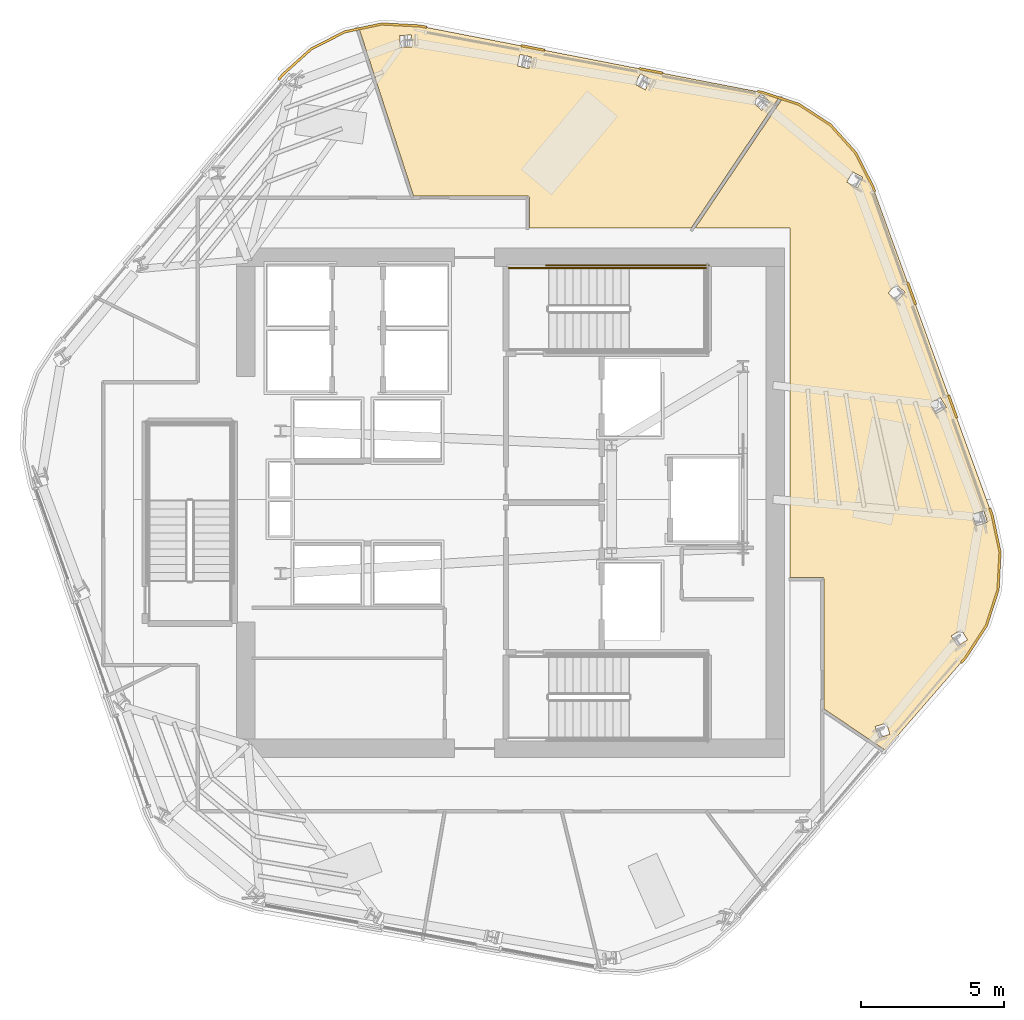
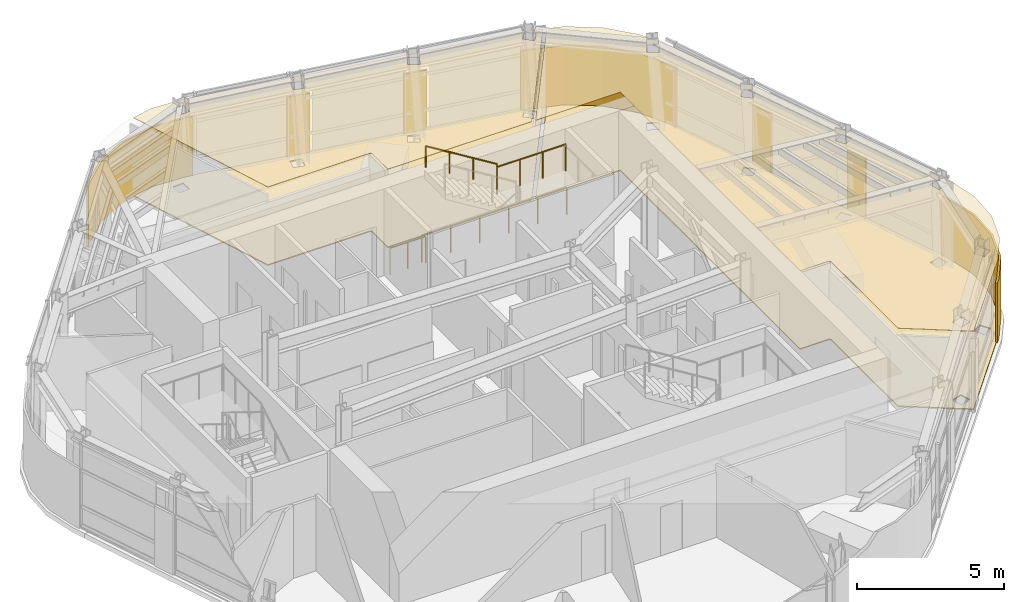
# One storey, part 11 of 12: 11 coverings, 4 railings.
"""IFC4 building model written with IfcOpenShell, lengths in metres."""

from ifc_helpers import new_model, si_unit, direction, frame, origin, origin_2d, place, context, subcontext, project, spatial, polyline, circle, outline, extrude, material, layer, layer_set, type_object, element, save


model = new_model("IFC4")

# Units and contexts
model_context = context("Model", 3, precision=1e-05, world=origin(), true_north=direction((0.0, 1.0)))
body_context = subcontext(model_context, "Body", "Model", "MODEL_VIEW")
ifc_project = project(units=[si_unit("LENGTHUNIT", "METRE"), si_unit("AREAUNIT", "SQUARE_METRE"), si_unit("VOLUMEUNIT", "CUBIC_METRE"), si_unit("PLANEANGLEUNIT", "RADIAN"), si_unit("MASSUNIT", "GRAM", prefix="KILO")], contexts=[model_context])

# Site, building, storey
site_placement = place(None, origin())
site = spatial("IfcSite", under=ifc_project, at=site_placement, CompositionType="ELEMENT")
building_placement = place(site_placement, origin())
building = spatial("IfcBuilding", under=site, at=building_placement, Name="Valkerne Bourse Tower", CompositionType="ELEMENT")
storey_placement = place(building_placement, frame((0.0, 0.0, 236.0)))
storey = spatial("IfcBuildingStorey", under=building, at=storey_placement, Name="L60", CompositionType="ELEMENT", Elevation=236.0)

# Coverings
ifc_material_1 = material(Name="Mineral Fiber Acoustic Ceiling Tile", Category="acoustic")
ifc_layer_1 = layer(ifc_material_1, 0.02490234375)
ifc_layer_set_1 = layer_set([ifc_layer_1], Name="Mineral Fiber Acoustic Ceiling Tile")
covering_type_1 = type_object("IfcCoveringType", Name="COV-CEIL-ACT", PredefinedType="CEILING", material=ifc_layer_set_1)
covering_1_placement = place(storey_placement, frame((0.0, 0.0, 3.25)))
element("IfcCovering", 1, at=covering_1_placement, inside=storey, type_object=covering_type_1, Name="L60 Suspended Ceiling 10", PredefinedType="CEILING", context=body_context, shape_type="SweptSolid", body=[
    extrude(outline(polyline([(55.6318359375, 41.246826171875), (56.20263671875, 41.061279296875), (53.12939453125, 36.5), (47.468994140625, 36.5), (47.468994140625, 37.5634765625), (47.455078125, 37.601806640625), (47.41748046875, 37.626953125), (43.408447265625, 37.62890625), (41.5078125, 43.478271484375), (42.29345703125, 43.645263671875), (43.6201171875, 43.57568359375), (55.6318359375, 41.246826171875)]), holes=[polyline([(43.355712890625, 42.84912109375), (43.3408203125, 43.2607421875), (42.927490234375, 43.24609375), (42.92529296875, 43.24560546875), (42.940185546875, 42.833984375), (43.353271484375, 42.848388671875), (43.355712890625, 42.84912109375)]), polyline([(55.58544921875, 41.203857421875), (55.58349609375, 41.205078125), (55.302001953125, 40.904541015625), (55.603759765625, 40.62158203125), (55.605712890625, 40.620361328125), (55.88720703125, 40.921142578125), (55.58544921875, 41.203857421875)]), polyline([(51.360595703125, 41.903564453125), (51.3583984375, 41.904296875), (51.162353515625, 41.5419921875), (51.52587890625, 41.344970703125), (51.528076171875, 41.34423828125), (51.72412109375, 41.70654296875), (51.360595703125, 41.903564453125)]), polyline([(47.539794921875, 42.4912109375), (47.13623046875, 42.58203125), (47.134033203125, 42.582275390625), (47.0439453125, 42.180419921875), (47.447509765625, 42.089599609375), (47.44970703125, 42.08935546875), (47.539794921875, 42.4912109375)])]), origin(), (0.0, 0.0, 1.0), 0.02490234375),
])
covering_2_placement = place(storey_placement, frame((0.0, 0.0, 3.25)))
element("IfcCovering", 2, at=covering_2_placement, inside=storey, type_object=covering_type_1, Name="L60 Suspended Ceiling 11", PredefinedType="CEILING", context=body_context, shape_type="SweptSolid", body=[
    extrude(outline(polyline([(63.468505859375, 22.580078125), (62.744873046875, 21.4658203125), (59.9248046875, 18.218505859375), (57.7890625, 19.658935546875), (57.786865234375, 24.217529296875), (57.76171875, 24.255126953125), (57.723388671875, 24.268798828125), (56.60009765625, 24.26904296875), (56.60009765625, 36.5), (53.271728515625, 36.5), (56.3193359375, 41.0234375), (56.896484375, 40.8359375), (58.003173828125, 40.1171875), (58.885986328125, 39.13671875), (59.48974609375, 37.951904296875), (63.6689453125, 26.452392578125), (63.9453125, 25.15283203125), (63.876220703125, 23.835205078125), (63.468505859375, 22.580078125)]), holes=[polyline([(60.09423828125, 18.770751953125), (59.97021484375, 19.165771484375), (59.577392578125, 19.04345703125), (59.576416015625, 19.04150390625), (59.7001953125, 18.646484375), (60.093017578125, 18.768798828125), (60.09423828125, 18.770751953125)]), polyline([(62.81201171875, 22.080078125), (62.59228515625, 22.430908203125), (62.2431640625, 22.21337890625), (62.242431640625, 22.2109375), (62.46240234375, 21.860107421875), (62.811279296875, 22.077880859375), (62.81201171875, 22.080078125)]), polyline([(63.504150390625, 26.2021484375), (63.50439453125, 26.20458984375), (63.384521484375, 26.597900390625), (62.988037109375, 26.477783203125), (62.988037109375, 26.475341796875), (63.107666015625, 26.082275390625), (63.504150390625, 26.2021484375)]), polyline([(62.07080078125, 30.225341796875), (61.855224609375, 30.575439453125), (61.502197265625, 30.35888671875), (61.502685546875, 30.356689453125), (61.718017578125, 30.00634765625), (62.0712890625, 30.22314453125), (62.07080078125, 30.225341796875)]), polyline([(60.618408203125, 34.256103515625), (60.31591796875, 34.534423828125), (60.034912109375, 34.22998046875), (60.035888671875, 34.22802734375), (60.33837890625, 33.94970703125), (60.619384765625, 34.25390625), (60.618408203125, 34.256103515625)]), polyline([(59.145751953125, 38.280517578125), (58.782470703125, 38.472900390625), (58.587890625, 38.107177734375), (58.589599609375, 38.10546875), (58.952880859375, 37.9130859375), (59.147216796875, 38.27880859375), (59.145751953125, 38.280517578125)])]), origin(), (0.0, 0.0, 1.0), 0.02490234375),
])
ifc_material_2 = material(Name="Bronze Anodised Aluminium AA 6063-T6", Category="aluminium")
ifc_layer_2 = layer(ifc_material_2, 0.06005859375)
ifc_layer_set_2 = layer_set([ifc_layer_2], Name="Bronze Anodised Aluminium AA 6063-T6")
covering_type_2 = type_object("IfcCoveringType", Name="COV-CRN-ALUM", PredefinedType="CLADDING", material=ifc_layer_set_2)
covering_3_placement = place(storey_placement, origin())
element("IfcCovering", 3, at=covering_3_placement, inside=storey, type_object=covering_type_2, Name="L60 Wind-Shaped Corner Aluminium Cladding 01", PredefinedType="CLADDING", context=body_context, shape_type="SweptSolid", body=[
    extrude(outline(polyline([(63.989501953125, 25.156494140625), (63.919921875, 23.826904296875), (63.508544921875, 22.56103515625), (62.780029296875, 21.439453125), (62.614990234375, 21.2490234375), (62.553955078125, 21.301025390625), (62.716064453125, 21.48779296875), (63.435546875, 22.595703125), (63.840576171875, 23.841796875), (63.9091796875, 25.150146484375), (63.63427734375, 26.4423828125), (63.550048828125, 26.674560546875), (63.62548828125, 26.701171875), (63.71142578125, 26.464599609375), (63.989501953125, 25.156494140625)])), origin(), (0.0, 0.0, 1.0), 2.5),
])
covering_4_placement = place(storey_placement, origin())
element("IfcCovering", 4, at=covering_4_placement, inside=storey, type_object=covering_type_2, Name="L60 Wind-Shaped Corner Aluminium Cladding 13", PredefinedType="CLADDING", context=body_context, shape_type="SweptSolid", body=[
    extrude(outline(polyline([(38.80810546875, 41.91357421875), (39.802001953125, 42.808349609375), (40.988037109375, 43.41259765625), (42.2900390625, 43.689453125), (43.62548828125, 43.619384765625), (43.872802734375, 43.571533203125), (43.8583984375, 43.492919921875), (43.61572265625, 43.539794921875), (42.29638671875, 43.60888671875), (41.014892578125, 43.336669921875), (39.84765625, 42.741943359375), (38.86572265625, 41.85791015625), (38.706787109375, 41.668701171875), (38.64599609375, 41.720458984375), (38.80810546875, 41.91357421875)])), origin(), (0.0, 0.0, 1.0), 2.5),
])
covering_5_placement = place(storey_placement, origin())
element("IfcCovering", 5, at=covering_5_placement, inside=storey, type_object=covering_type_2, Name="L60 Wind-Shaped Corner Aluminium Cladding 14", PredefinedType="CLADDING", context=body_context, shape_type="SweptSolid", body=[
    extrude(outline(polyline([(48.008056640625, 42.769775390625), (47.993408203125, 42.691162109375), (47.168701171875, 42.85107421875), (47.183349609375, 42.9296875), (48.008056640625, 42.769775390625)])), origin(), (0.0, 0.0, 1.0), 2.5),
])
covering_6_placement = place(storey_placement, origin())
element("IfcCovering", 6, at=covering_6_placement, inside=storey, type_object=covering_type_2, Name="L60 Wind-Shaped Corner Aluminium Cladding 15", PredefinedType="CLADDING", context=body_context, shape_type="SweptSolid", body=[
    extrude(outline(polyline([(52.143310546875, 41.968017578125), (52.128662109375, 41.889404296875), (51.303955078125, 42.04931640625), (51.318603515625, 42.1279296875), (52.143310546875, 41.968017578125)])), origin(), (0.0, 0.0, 1.0), 2.5),
])
covering_7_placement = place(storey_placement, origin())
element("IfcCovering", 7, at=covering_7_placement, inside=storey, type_object=covering_type_2, Name="L60 Wind-Shaped Corner Aluminium Cladding 16", PredefinedType="CLADDING", context=body_context, shape_type="SweptSolid", body=[
    extrude(outline(polyline([(55.642822265625, 41.28955078125), (56.91552734375, 40.8759765625), (58.031982421875, 40.15087890625), (58.922607421875, 39.161865234375), (59.5302734375, 37.969482421875), (59.59619140625, 37.788330078125), (59.520751953125, 37.76171875), (59.456787109375, 37.9375), (58.856201171875, 39.1162109375), (57.9794921875, 40.089599609375), (56.880859375, 40.802978515625), (55.622802734375, 41.2119140625), (55.439208984375, 41.24755859375), (55.45361328125, 41.326171875), (55.642822265625, 41.28955078125)])), origin(), (0.0, 0.0, 1.0), 2.5),
])
covering_8_placement = place(storey_placement, origin())
element("IfcCovering", 8, at=covering_8_placement, inside=storey, type_object=covering_type_2, Name="L60 Wind-Shaped Corner Aluminium Cladding 17", PredefinedType="CLADDING", context=body_context, shape_type="SweptSolid", body=[
    extrude(outline(polyline([(61.034912109375, 33.829345703125), (60.95947265625, 33.802734375), (60.672607421875, 34.59228515625), (60.747802734375, 34.618896484375), (61.034912109375, 33.829345703125)])), origin(), (0.0, 0.0, 1.0), 2.5),
])
covering_9_placement = place(storey_placement, origin())
element("IfcCovering", 9, at=covering_9_placement, inside=storey, type_object=covering_type_2, Name="L60 Wind-Shaped Corner Aluminium Cladding 18", PredefinedType="CLADDING", context=body_context, shape_type="SweptSolid", body=[
    extrude(outline(polyline([(62.4736328125, 29.87060546875), (62.398193359375, 29.843994140625), (62.111083984375, 30.63330078125), (62.186767578125, 30.66015625), (62.4736328125, 29.87060546875)])), origin(), (0.0, 0.0, 1.0), 2.5),
])
ifc_material_3 = material(Name="Galvanised Painted Steel", Category="steel")
ifc_layer_3 = layer(ifc_material_3, 0.044921875)
ifc_layer_set_3 = layer_set([ifc_layer_3], Name="Galvanised Painted Steel")
covering_type_3 = type_object("IfcCoveringType", Name="COV-FLR-RAF", PredefinedType="FLOORING", material=ifc_layer_set_3)
covering_10_placement = place(storey_placement, origin())
element("IfcCovering", 10, at=covering_10_placement, inside=storey, type_object=covering_type_3, Name="L60 Floor Finish 10", PredefinedType="FLOORING", context=body_context, shape_type="SweptSolid", body=[
    extrude(outline(polyline([(55.6318359375, 41.246826171875), (56.20263671875, 41.061279296875), (53.12939453125, 36.5), (47.468994140625, 36.5), (47.468994140625, 37.5634765625), (47.455078125, 37.601806640625), (47.41748046875, 37.626953125), (43.408447265625, 37.62890625), (41.5078125, 43.478271484375), (42.29345703125, 43.645263671875), (43.6201171875, 43.57568359375), (55.6318359375, 41.246826171875)]), holes=[polyline([(43.355712890625, 42.84912109375), (43.3408203125, 43.2607421875), (42.927490234375, 43.24609375), (42.92529296875, 43.24560546875), (42.940185546875, 42.833984375), (43.353271484375, 42.848388671875), (43.355712890625, 42.84912109375)]), polyline([(55.58544921875, 41.203857421875), (55.58349609375, 41.205078125), (55.302001953125, 40.904541015625), (55.603759765625, 40.62158203125), (55.605712890625, 40.620361328125), (55.88720703125, 40.921142578125), (55.58544921875, 41.203857421875)]), polyline([(51.360595703125, 41.903564453125), (51.3583984375, 41.904296875), (51.162353515625, 41.5419921875), (51.52587890625, 41.344970703125), (51.528076171875, 41.34423828125), (51.72412109375, 41.70654296875), (51.360595703125, 41.903564453125)]), polyline([(47.539794921875, 42.4912109375), (47.13623046875, 42.58203125), (47.134033203125, 42.582275390625), (47.0439453125, 42.180419921875), (47.447509765625, 42.089599609375), (47.44970703125, 42.08935546875), (47.539794921875, 42.4912109375)])]), origin(), (0.0, 0.0, 1.0), 0.044921875),
])
covering_11_placement = place(storey_placement, origin())
element("IfcCovering", 11, at=covering_11_placement, inside=storey, type_object=covering_type_3, Name="L60 Floor Finish 11", PredefinedType="FLOORING", context=body_context, shape_type="SweptSolid", body=[
    extrude(outline(polyline([(63.468505859375, 22.580078125), (62.744873046875, 21.4658203125), (59.9248046875, 18.218505859375), (57.7890625, 19.658935546875), (57.786865234375, 24.217529296875), (57.76171875, 24.255126953125), (57.723388671875, 24.268798828125), (56.60009765625, 24.26904296875), (56.60009765625, 36.5), (53.271728515625, 36.5), (56.3193359375, 41.0234375), (56.896484375, 40.8359375), (58.003173828125, 40.1171875), (58.885986328125, 39.13671875), (59.48974609375, 37.951904296875), (63.6689453125, 26.452392578125), (63.9453125, 25.15283203125), (63.876220703125, 23.835205078125), (63.468505859375, 22.580078125)]), holes=[polyline([(60.09423828125, 18.770751953125), (59.97021484375, 19.165771484375), (59.577392578125, 19.04345703125), (59.576416015625, 19.04150390625), (59.7001953125, 18.646484375), (60.093017578125, 18.768798828125), (60.09423828125, 18.770751953125)]), polyline([(62.81201171875, 22.080078125), (62.59228515625, 22.430908203125), (62.2431640625, 22.21337890625), (62.242431640625, 22.2109375), (62.46240234375, 21.860107421875), (62.811279296875, 22.077880859375), (62.81201171875, 22.080078125)]), polyline([(63.504150390625, 26.2021484375), (63.50439453125, 26.20458984375), (63.384521484375, 26.597900390625), (62.988037109375, 26.477783203125), (62.988037109375, 26.475341796875), (63.107666015625, 26.082275390625), (63.504150390625, 26.2021484375)]), polyline([(62.07080078125, 30.225341796875), (61.855224609375, 30.575439453125), (61.502197265625, 30.35888671875), (61.502685546875, 30.356689453125), (61.718017578125, 30.00634765625), (62.0712890625, 30.22314453125), (62.07080078125, 30.225341796875)]), polyline([(60.618408203125, 34.256103515625), (60.31591796875, 34.534423828125), (60.034912109375, 34.22998046875), (60.035888671875, 34.22802734375), (60.33837890625, 33.94970703125), (60.619384765625, 34.25390625), (60.618408203125, 34.256103515625)]), polyline([(59.145751953125, 38.280517578125), (58.782470703125, 38.472900390625), (58.587890625, 38.107177734375), (58.589599609375, 38.10546875), (58.952880859375, 37.9130859375), (59.147216796875, 38.27880859375), (59.145751953125, 38.280517578125)])]), origin(), (0.0, 0.0, 1.0), 0.044921875),
])

# Railings
railing_type_1 = type_object("IfcRailingType", Name="RLG-ST-GUARD-1120", PredefinedType="GUARDRAIL", material=ifc_material_3)
railing_1_placement = place(storey_placement, frame((50.949951171875, 35.10009765625, 1.89990234375)))
element("IfcRailing", 12, at=railing_1_placement, inside=storey, type_object=railing_type_1, Name="L60 ST-2 stair guard 4", PredefinedType="GUARDRAIL", context=body_context, shape_type="SweptSolid", body=[
    extrude(circle(Radius=0.02392578125, at=origin_2d()), frame((0.0, 0.0, 1.09619140625), z_axis=(1.0, 0.0, 0.0), x_axis=(0.0, 1.0, 0.0)), (0.0, 0.0, 1.0), 2.699951171875),
    extrude(circle(Radius=0.02099609375, at=origin_2d()), origin(), (0.0, 0.0, 1.0), 1.072021484375),
    extrude(circle(Radius=0.02099609375, at=origin_2d()), frame((0.89990234375, 0.0, 0.0)), (0.0, 0.0, 1.0), 1.072021484375),
    extrude(circle(Radius=0.02099609375, at=origin_2d()), frame((1.800048828125, 0.0, 0.0)), (0.0, 0.0, 1.0), 1.072021484375),
    extrude(circle(Radius=0.02099609375, at=origin_2d()), frame((2.699951171875, 0.0, 0.0)), (0.0, 0.0, 1.0), 1.072021484375),
])
railing_2_placement = place(storey_placement, frame((46.75, 35.10009765625, 0.0)))
element("IfcRailing", 13, at=railing_2_placement, inside=storey, type_object=railing_type_1, Name="L60 ST-2 stair guard 9", PredefinedType="GUARDRAIL", context=body_context, shape_type="SweptSolid", body=[
    extrude(circle(Radius=0.02392578125, at=origin_2d()), frame((0.0, 0.0, 1.09619140625), z_axis=(1.0, 0.0, 0.0), x_axis=(0.0, 1.0, 0.0)), (0.0, 0.0, 1.0), 1.39990234375),
    extrude(circle(Radius=0.02099609375, at=origin_2d()), origin(), (0.0, 0.0, 1.0), 1.072021484375),
    extrude(circle(Radius=0.02099609375, at=origin_2d()), frame((0.699951171875, 0.0, 0.0)), (0.0, 0.0, 1.0), 1.072021484375),
    extrude(circle(Radius=0.02099609375, at=origin_2d()), frame((1.39990234375, 0.0, 0.0)), (0.0, 0.0, 1.0), 1.072021484375),
])
railing_3_placement = place(storey_placement, frame((48.050048828125, 35.199951171875, 0.0)))
element("IfcRailing", 14, at=railing_3_placement, inside=storey, type_object=railing_type_1, Name="L60 ST-2 stair guard 11", PredefinedType="GUARDRAIL", context=body_context, shape_type="SweptSolid", body=[
    extrude(circle(Radius=0.02392578125, at=origin_2d()), frame((0.0, 0.0, 1.09619140625), z_axis=(1.0, 0.0, 0.0), x_axis=(0.0, 1.0, 0.0)), (0.0, 0.0, 1.0), 5.699951171875),
    extrude(circle(Radius=0.02099609375, at=origin_2d()), origin(), (0.0, 0.0, 1.0), 1.072021484375),
    extrude(circle(Radius=0.02099609375, at=origin_2d()), frame((1.139892578125, 0.0, 0.0)), (0.0, 0.0, 1.0), 1.072021484375),
    extrude(circle(Radius=0.02099609375, at=origin_2d()), frame((2.280029296875, 0.0, 0.0)), (0.0, 0.0, 1.0), 1.072021484375),
    extrude(circle(Radius=0.02099609375, at=origin_2d()), frame((3.419921875, 0.0, 0.0)), (0.0, 0.0, 1.0), 1.072021484375),
    extrude(circle(Radius=0.02099609375, at=origin_2d()), frame((4.56005859375, 0.0, 0.0)), (0.0, 0.0, 1.0), 1.072021484375),
    extrude(circle(Radius=0.02099609375, at=origin_2d()), frame((5.699951171875, 0.0, 0.0)), (0.0, 0.0, 1.0), 1.072021484375),
])
ifc_material_4 = material(Name="Stainless Steel AISI 316", Category="steel")
railing_type_2 = type_object("IfcRailingType", Name="RLG-ST-HANDRAIL-900", PredefinedType="HANDRAIL", material=ifc_material_4)
railing_4_placement = place(storey_placement, frame((50.949951171875, 35.10009765625, 2.245361328125)))
element("IfcRailing", 15, at=railing_4_placement, inside=storey, type_object=railing_type_2, Name="L60 ST-2 stair handrail 2", PredefinedType="HANDRAIL", context=body_context, shape_type="SweptSolid", body=[
    extrude(circle(Radius=0.02392578125, at=origin_2d()), frame((0.0, 0.0, 0.8759765625), z_axis=(-0.851089632645, 0.0, 0.525020415988), x_axis=(0.0, -1.0, 0.0)), (0.0, 0.0, 1.0), 3.2900390625),
    extrude(circle(Radius=0.02099609375, at=origin_2d()), origin(), (0.0, 0.0, 1.0), 0.851806640625),
    extrude(circle(Radius=0.02099609375, at=origin_2d()), frame((-0.933349609375, 0.0, 0.57568359375)), (0.0, 0.0, 1.0), 0.851806640625),
    extrude(circle(Radius=0.02099609375, at=origin_2d()), frame((-1.86669921875, 0.0, 1.151611328125)), (0.0, 0.0, 1.0), 0.851806640625),
    extrude(circle(Radius=0.02099609375, at=origin_2d()), frame((-2.800048828125, 0.0, 1.727294921875)), (0.0, 0.0, 1.0), 0.851806640625),
])

save(model, "model.ifc")
